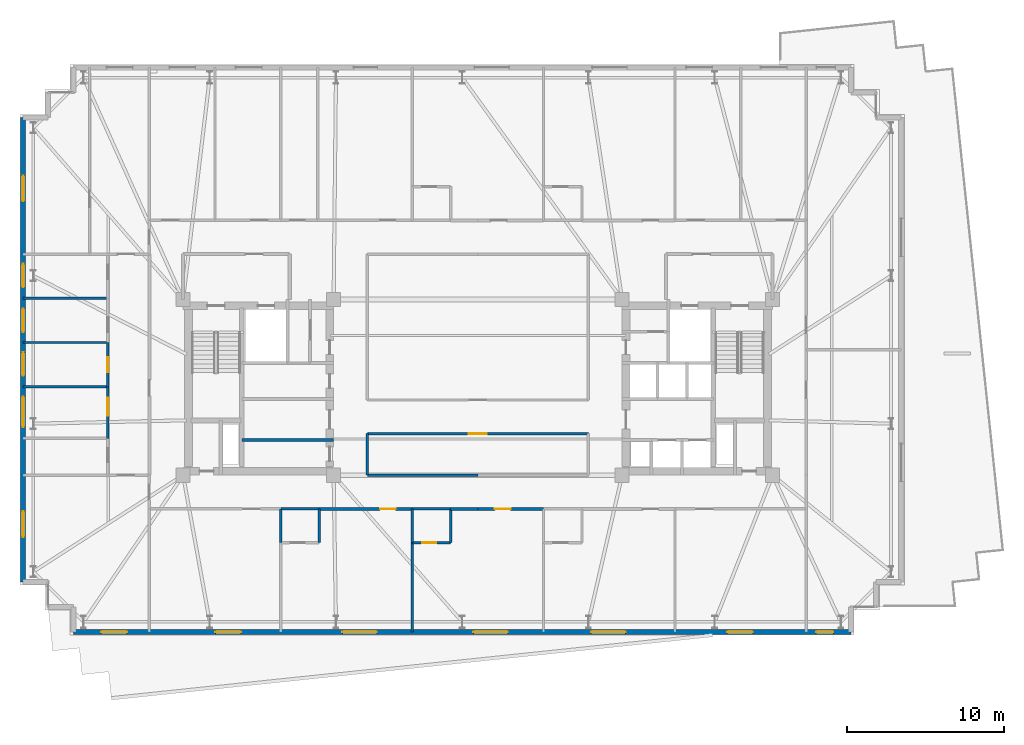
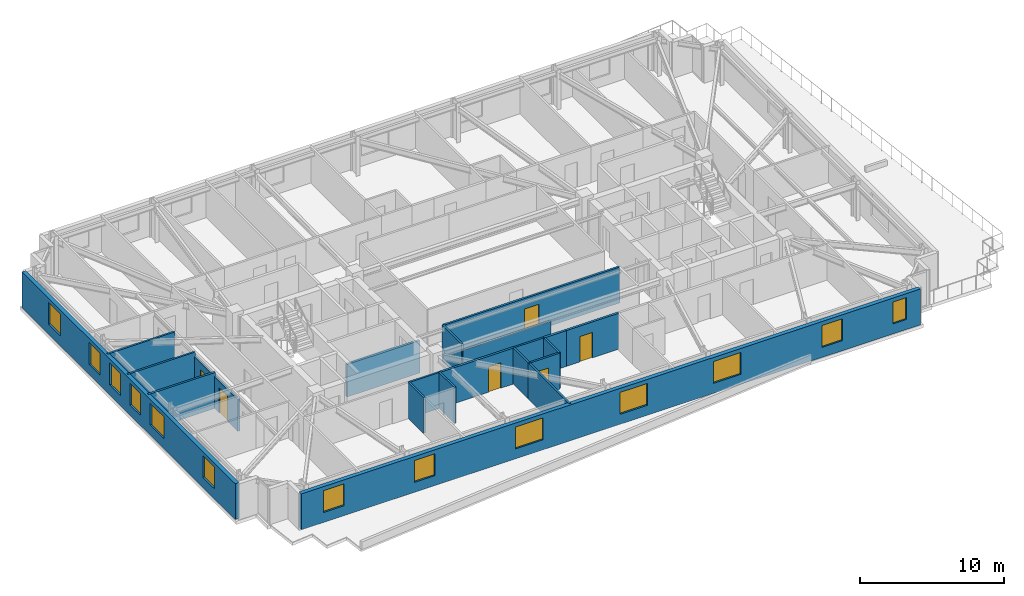
# One storey, part 11 of 19: 22 walls, 13 windows, 6 doors, 19 openings.
"""IFC4 building model written with IfcOpenShell, lengths in metres."""

from ifc_helpers import new_model, si_unit, direction, frame, frame_2d, origin, place, context, subcontext, project, spatial, rectangle, extrude, material, layer, layer_set, type_object, element, fill, save


model = new_model("IFC4")

# Units and contexts
model_context = context("Model", 3, precision=1e-05, world=origin(), true_north=direction((0.0, 1.0)))
body_context = subcontext(model_context, "Body", "Model", "MODEL_VIEW")
ifc_project = project(units=[si_unit("LENGTHUNIT", "METRE"), si_unit("AREAUNIT", "SQUARE_METRE"), si_unit("VOLUMEUNIT", "CUBIC_METRE"), si_unit("PLANEANGLEUNIT", "RADIAN"), si_unit("MASSUNIT", "GRAM", prefix="KILO")], contexts=[model_context])

# Site, building, storey
site_placement = place(None, origin())
site = spatial("IfcSite", under=ifc_project, at=site_placement, CompositionType="ELEMENT")
building_placement = place(site_placement, origin())
building = spatial("IfcBuilding", under=site, at=building_placement, Name="Qobustan Lattice House", CompositionType="ELEMENT")
storey_placement = place(building_placement, frame((0.0, 0.0, 131.0)))
storey = spatial("IfcBuildingStorey", under=building, at=storey_placement, Name="L36", CompositionType="ELEMENT", Elevation=131.0)

# Wall, openings, windows
ifc_material_1 = material(Name="Precast concrete C40/50", Category="concrete")
ifc_layer_1 = layer(ifc_material_1, 0.320068359375)
ifc_layer_set_1 = layer_set([ifc_layer_1], Name="Precast concrete C40/50")
wall_type_1 = type_object("IfcWallType", Name="WAL-EXT-STONE-320", PredefinedType="SOLIDWALL", material=ifc_layer_set_1)
wall_1_placement = place(storey_placement, frame((-29.0, -12.39990234375, 0.0), z_axis=(0.0, 0.0, 1.0), x_axis=(0.0, 1.0, 0.0)))
wall_1 = element("IfcWall", 1, at=wall_1_placement, inside=storey, type_object=wall_type_1, Name="L36 exterior limestone-clad wall 5", PredefinedType="SOLIDWALL", context=body_context, shape_type="SweptSolid", body=[
    extrude(rectangle(XDim=29.599853515625, YDim=0.320068359375, at=frame_2d((14.7998046875, 0.0))), origin(), (0.0, 0.0, 1.0), 3.0400390625),
])
opening_1_placement = place(wall_1_placement, frame((2.85498046875, 0.0, 0.85009765625)))
opening_1 = element("IfcOpeningElement", 2, at=opening_1_placement, cuts=wall_1, Name="Opening WN-09", PredefinedType="OPENING", context=body_context, shape_type="SweptSolid", body=[
    extrude(rectangle(XDim=1.64990234375, YDim=1.85009765625, at=frame_2d((0.824951171875, 0.925048828125))), frame((0.0, 0.169921875, 0.0), z_axis=(0.0, -1.0, 0.0), x_axis=(1.0, 0.0, 0.0)), (0.0, 0.0, 1.0), 0.340087890625),
])
opening_2_placement = place(wall_1_placement, frame((9.864990234375, 0.0, 0.85009765625)))
opening_2 = element("IfcOpeningElement", 3, at=opening_2_placement, cuts=wall_1, Name="Opening WN-08", PredefinedType="OPENING", context=body_context, shape_type="SweptSolid", body=[
    extrude(rectangle(XDim=1.949951171875, YDim=1.85009765625, at=frame_2d((0.97509765625, 0.925048828125))), frame((0.0, 0.169921875, 0.0), z_axis=(0.0, -1.0, 0.0), x_axis=(1.0, 0.0, 0.0)), (0.0, 0.0, 1.0), 0.340087890625),
])
opening_3_placement = place(wall_1_placement, frame((13.1298828125, 0.0, 0.85009765625)))
opening_3 = element("IfcOpeningElement", 4, at=opening_3_placement, cuts=wall_1, Name="Opening WN-01", PredefinedType="OPENING", context=body_context, shape_type="SweptSolid", body=[
    extrude(rectangle(XDim=1.5, YDim=1.85009765625, at=frame_2d((0.75, 0.925048828125))), frame((0.0, 0.169921875, 0.0), z_axis=(0.0, -1.0, 0.0), x_axis=(1.0, 0.0, 0.0)), (0.0, 0.0, 1.0), 0.340087890625),
])
opening_4_placement = place(wall_1_placement, frame((15.929931640625, 0.0, 0.85009765625)))
opening_4 = element("IfcOpeningElement", 5, at=opening_4_placement, cuts=wall_1, Name="Opening WN-01", PredefinedType="OPENING", context=body_context, shape_type="SweptSolid", body=[
    extrude(rectangle(XDim=1.5, YDim=1.85009765625, at=frame_2d((0.75, 0.925048828125))), frame((0.0, 0.169921875, 0.0), z_axis=(0.0, -1.0, 0.0), x_axis=(1.0, 0.0, 0.0)), (0.0, 0.0, 1.0), 0.340087890625),
])
opening_5_placement = place(wall_1_placement, frame((18.77001953125, 0.0, 0.85009765625)))
opening_5 = element("IfcOpeningElement", 6, at=opening_5_placement, cuts=wall_1, Name="Opening WN-01", PredefinedType="OPENING", context=body_context, shape_type="SweptSolid", body=[
    extrude(rectangle(XDim=1.5, YDim=1.85009765625, at=frame_2d((0.75, 0.925048828125))), frame((0.0, 0.169921875, 0.0), z_axis=(0.0, -1.0, 0.0), x_axis=(1.0, 0.0, 0.0)), (0.0, 0.0, 1.0), 0.340087890625),
])
opening_6_placement = place(wall_1_placement, frame((24.2548828125, 0.0, 0.85009765625)))
opening_6 = element("IfcOpeningElement", 7, at=opening_6_placement, cuts=wall_1, Name="Opening WN-09", PredefinedType="OPENING", context=body_context, shape_type="SweptSolid", body=[
    extrude(rectangle(XDim=1.64990234375, YDim=1.85009765625, at=frame_2d((0.824951171875, 0.925048828125))), frame((0.0, 0.169921875, 0.0), z_axis=(0.0, -1.0, 0.0), x_axis=(1.0, 0.0, 0.0)), (0.0, 0.0, 1.0), 0.340087890625),
])
ifc_material_2 = material(Name="Double-glazed low-E aluminium window", Category="aluminium")
window_type_1 = type_object("IfcWindowType", Name="WIN-BED-1500x1850", PartitioningType="SINGLE_PANEL", PredefinedType="WINDOW", material=ifc_material_2)
window_1_placement = place(opening_3_placement, origin())
window_1 = element("IfcWindow", 8, at=window_1_placement, inside=storey, type_object=window_type_1, Name="L36 Cluster bedroom L36W1 window", OverallHeight=1.85009765625, OverallWidth=1.5, PartitioningType="SINGLE_PANEL", PredefinedType="WINDOW", context=body_context, shape_type="SweptSolid", body=[
    extrude(rectangle(XDim=1.5, YDim=1.85009765625, at=frame_2d((0.75, 0.925048828125))), frame((0.0, 0.030029296875, 0.0), z_axis=(0.0, -1.0, 0.0), x_axis=(1.0, 0.0, 0.0)), (0.0, 0.0, 1.0), 0.06005859375),
])
fill(opening_3, window_1)
window_2_placement = place(opening_4_placement, origin())
window_2 = element("IfcWindow", 9, at=window_2_placement, inside=storey, type_object=window_type_1, Name="L36 Cluster bedroom L36W2 window", OverallHeight=1.85009765625, OverallWidth=1.5, PartitioningType="SINGLE_PANEL", PredefinedType="WINDOW", context=body_context, shape_type="SweptSolid", body=[
    extrude(rectangle(XDim=1.5, YDim=1.85009765625, at=frame_2d((0.75, 0.925048828125))), frame((0.0, 0.030029296875, 0.0), z_axis=(0.0, -1.0, 0.0), x_axis=(1.0, 0.0, 0.0)), (0.0, 0.0, 1.0), 0.06005859375),
])
fill(opening_4, window_2)
window_3_placement = place(opening_5_placement, origin())
window_3 = element("IfcWindow", 10, at=window_3_placement, inside=storey, type_object=window_type_1, Name="L36 Cluster bedroom L36W3 window", OverallHeight=1.85009765625, OverallWidth=1.5, PartitioningType="SINGLE_PANEL", PredefinedType="WINDOW", context=body_context, shape_type="SweptSolid", body=[
    extrude(rectangle(XDim=1.5, YDim=1.85009765625, at=frame_2d((0.75, 0.925048828125))), frame((0.0, 0.030029296875, 0.0), z_axis=(0.0, -1.0, 0.0), x_axis=(1.0, 0.0, 0.0)), (0.0, 0.0, 1.0), 0.06005859375),
])
fill(opening_5, window_3)
ifc_material_3 = material(Name="Double-glazed low-E aluminium window", Category="aluminium")
window_type_2 = type_object("IfcWindowType", Name="WIN-KIT-1950x1850", PartitioningType="SINGLE_PANEL", PredefinedType="WINDOW", material=ifc_material_3)
window_4_placement = place(opening_2_placement, origin())
window_4 = element("IfcWindow", 11, at=window_4_placement, inside=storey, type_object=window_type_2, Name="L36 Shared kitchen L36W window", OverallHeight=1.85009765625, OverallWidth=1.949951171875, PartitioningType="SINGLE_PANEL", PredefinedType="WINDOW", context=body_context, shape_type="SweptSolid", body=[
    extrude(rectangle(XDim=1.949951171875, YDim=1.85009765625, at=frame_2d((0.97509765625, 0.925048828125))), frame((0.0, 0.030029296875, 0.0), z_axis=(0.0, -1.0, 0.0), x_axis=(1.0, 0.0, 0.0)), (0.0, 0.0, 1.0), 0.06005859375),
])
fill(opening_2, window_4)
ifc_material_4 = material(Name="Double-glazed low-E aluminium window", Category="aluminium")
window_type_3 = type_object("IfcWindowType", Name="WIN-STU-1650x1850", PartitioningType="SINGLE_PANEL", PredefinedType="WINDOW", material=ifc_material_4)
window_5_placement = place(opening_1_placement, origin())
window_5 = element("IfcWindow", 12, at=window_5_placement, inside=storey, type_object=window_type_3, Name="L36 Reading study room L36WS window", OverallHeight=1.85009765625, OverallWidth=1.64990234375, PartitioningType="SINGLE_PANEL", PredefinedType="WINDOW", context=body_context, shape_type="SweptSolid", body=[
    extrude(rectangle(XDim=1.64990234375, YDim=1.85009765625, at=frame_2d((0.824951171875, 0.925048828125))), frame((0.0, 0.030029296875, 0.0), z_axis=(0.0, -1.0, 0.0), x_axis=(1.0, 0.0, 0.0)), (0.0, 0.0, 1.0), 0.06005859375),
])
fill(opening_1, window_5)
window_6_placement = place(opening_6_placement, origin())
window_6 = element("IfcWindow", 13, at=window_6_placement, inside=storey, type_object=window_type_3, Name="L36 Collaborative study room L36WN window", OverallHeight=1.85009765625, OverallWidth=1.64990234375, PartitioningType="SINGLE_PANEL", PredefinedType="WINDOW", context=body_context, shape_type="SweptSolid", body=[
    extrude(rectangle(XDim=1.64990234375, YDim=1.85009765625, at=frame_2d((0.824951171875, 0.925048828125))), frame((0.0, 0.030029296875, 0.0), z_axis=(0.0, -1.0, 0.0), x_axis=(1.0, 0.0, 0.0)), (0.0, 0.0, 1.0), 0.06005859375),
])
fill(opening_6, window_6)

wall_2_placement = place(storey_placement, frame((23.800048828125, -15.60009765625, 0.0), z_axis=(0.0, 0.0, 1.0), x_axis=(-1.0, 0.0, 0.0)))
wall_2 = element("IfcWall", 14, at=wall_2_placement, inside=storey, type_object=wall_type_1, Name="L36 exterior limestone-clad wall 20", PredefinedType="SOLIDWALL", context=body_context, shape_type="SweptSolid", body=[
    extrude(rectangle(XDim=49.60009765625, YDim=0.320068359375, at=frame_2d((24.800048828125, 0.0))), origin(), (0.0, 0.0, 1.0), 3.0400390625),
])
opening_7_placement = place(wall_2_placement, frame((1.1298828125, 0.0, 0.85009765625)))
opening_7 = element("IfcOpeningElement", 15, at=opening_7_placement, cuts=wall_2, Name="Opening WN-04", PredefinedType="OPENING", context=body_context, shape_type="SweptSolid", body=[
    extrude(rectangle(XDim=1.10009765625, YDim=1.85009765625, at=frame_2d((0.550048828125, 0.925048828125))), frame((0.0, 0.169921875, 0.0), z_axis=(0.0, -1.0, 0.0), x_axis=(1.0, 0.0, 0.0)), (0.0, 0.0, 1.0), 0.340087890625),
])
opening_8_placement = place(wall_2_placement, frame((6.2548828125, 0.0, 0.85009765625)))
opening_8 = element("IfcOpeningElement", 16, at=opening_8_placement, cuts=wall_2, Name="Opening WN-09", PredefinedType="OPENING", context=body_context, shape_type="SweptSolid", body=[
    extrude(rectangle(XDim=1.64990234375, YDim=1.85009765625, at=frame_2d((0.824951171875, 0.925048828125))), frame((0.0, 0.169921875, 0.0), z_axis=(0.0, -1.0, 0.0), x_axis=(1.0, 0.0, 0.0)), (0.0, 0.0, 1.0), 0.340087890625),
])
opening_9_placement = place(wall_2_placement, frame((14.3798828125, 0.0, 0.85009765625)))
opening_9 = element("IfcOpeningElement", 17, at=opening_9_placement, cuts=wall_2, Name="Opening WN-03", PredefinedType="OPENING", context=body_context, shape_type="SweptSolid", body=[
    extrude(rectangle(XDim=2.199951171875, YDim=1.85009765625, at=frame_2d((1.10009765625, 0.925048828125))), frame((0.0, 0.169921875, 0.0), z_axis=(0.0, -1.0, 0.0), x_axis=(1.0, 0.0, 0.0)), (0.0, 0.0, 1.0), 0.340087890625),
])
opening_10_placement = place(wall_2_placement, frame((21.887939453125, 0.0, 0.85009765625)))
opening_10 = element("IfcOpeningElement", 18, at=opening_10_placement, cuts=wall_2, Name="Opening WN-03", PredefinedType="OPENING", context=body_context, shape_type="SweptSolid", body=[
    extrude(rectangle(XDim=2.199951171875, YDim=1.85009765625, at=frame_2d((1.10009765625, 0.925048828125))), frame((0.0, 0.169921875, 0.0), z_axis=(0.0, -1.0, 0.0), x_axis=(1.0, 0.0, 0.0)), (0.0, 0.0, 1.0), 0.340087890625),
])
opening_11_placement = place(wall_2_placement, frame((30.236083984375, 0.0, 0.85009765625)))
opening_11 = element("IfcOpeningElement", 19, at=opening_11_placement, cuts=wall_2, Name="Opening WN-03", PredefinedType="OPENING", context=body_context, shape_type="SweptSolid", body=[
    extrude(rectangle(XDim=2.199951171875, YDim=1.85009765625, at=frame_2d((1.10009765625, 0.925048828125))), frame((0.0, 0.169921875, 0.0), z_axis=(0.0, -1.0, 0.0), x_axis=(1.0, 0.0, 0.0)), (0.0, 0.0, 1.0), 0.340087890625),
])
opening_12_placement = place(wall_2_placement, frame((38.8974609375, 0.0, 0.85009765625)))
opening_12 = element("IfcOpeningElement", 20, at=opening_12_placement, cuts=wall_2, Name="Opening WN-09", PredefinedType="OPENING", context=body_context, shape_type="SweptSolid", body=[
    extrude(rectangle(XDim=1.64990234375, YDim=1.85009765625, at=frame_2d((0.824951171875, 0.925048828125))), frame((0.0, 0.169921875, 0.0), z_axis=(0.0, -1.0, 0.0), x_axis=(1.0, 0.0, 0.0)), (0.0, 0.0, 1.0), 0.340087890625),
])
opening_13_placement = place(wall_2_placement, frame((46.175048828125, 0.0, 0.85009765625)))
opening_13 = element("IfcOpeningElement", 21, at=opening_13_placement, cuts=wall_2, Name="Opening WN-09", PredefinedType="OPENING", context=body_context, shape_type="SweptSolid", body=[
    extrude(rectangle(XDim=1.64990234375, YDim=1.85009765625, at=frame_2d((0.824951171875, 0.925048828125))), frame((0.0, 0.169921875, 0.0), z_axis=(0.0, -1.0, 0.0), x_axis=(1.0, 0.0, 0.0)), (0.0, 0.0, 1.0), 0.340087890625),
])
ifc_material_5 = material(Name="Double-glazed low-E aluminium window", Category="aluminium")
window_type_4 = type_object("IfcWindowType", Name="WIN-NAR-1100x1850", PartitioningType="SINGLE_PANEL", PredefinedType="WINDOW", material=ifc_material_5)
window_7_placement = place(opening_7_placement, origin())
window_7 = element("IfcWindow", 22, at=window_7_placement, inside=storey, type_object=window_type_4, Name="L36 Spiral terrace south lounge window", OverallHeight=1.85009765625, OverallWidth=1.10009765625, PartitioningType="SINGLE_PANEL", PredefinedType="WINDOW", context=body_context, shape_type="SweptSolid", body=[
    extrude(rectangle(XDim=1.10009765625, YDim=1.85009765625, at=frame_2d((0.550048828125, 0.925048828125))), frame((0.0, 0.030029296875, 0.0), z_axis=(0.0, -1.0, 0.0), x_axis=(1.0, 0.0, 0.0)), (0.0, 0.0, 1.0), 0.06005859375),
])
fill(opening_7, window_7)
window_8_placement = place(opening_8_placement, origin())
window_8 = element("IfcWindow", 23, at=window_8_placement, inside=storey, type_object=window_type_3, Name="L36 Group study room window", OverallHeight=1.85009765625, OverallWidth=1.64990234375, PartitioningType="SINGLE_PANEL", PredefinedType="WINDOW", context=body_context, shape_type="SweptSolid", body=[
    extrude(rectangle(XDim=1.64990234375, YDim=1.85009765625, at=frame_2d((0.824951171875, 0.925048828125))), frame((0.0, 0.030029296875, 0.0), z_axis=(0.0, -1.0, 0.0), x_axis=(1.0, 0.0, 0.0)), (0.0, 0.0, 1.0), 0.06005859375),
])
fill(opening_8, window_8)
window_9_placement = place(opening_12_placement, origin())
window_9 = element("IfcWindow", 24, at=window_9_placement, inside=storey, type_object=window_type_3, Name="L36 Focus study room S1 window", OverallHeight=1.85009765625, OverallWidth=1.64990234375, PartitioningType="SINGLE_PANEL", PredefinedType="WINDOW", context=body_context, shape_type="SweptSolid", body=[
    extrude(rectangle(XDim=1.64990234375, YDim=1.85009765625, at=frame_2d((0.824951171875, 0.925048828125))), frame((0.0, 0.030029296875, 0.0), z_axis=(0.0, -1.0, 0.0), x_axis=(1.0, 0.0, 0.0)), (0.0, 0.0, 1.0), 0.06005859375),
])
fill(opening_12, window_9)
window_10_placement = place(opening_13_placement, origin())
window_10 = element("IfcWindow", 25, at=window_10_placement, inside=storey, type_object=window_type_3, Name="L36 Reading study room L36WS window", OverallHeight=1.85009765625, OverallWidth=1.64990234375, PartitioningType="SINGLE_PANEL", PredefinedType="WINDOW", context=body_context, shape_type="SweptSolid", body=[
    extrude(rectangle(XDim=1.64990234375, YDim=1.85009765625, at=frame_2d((0.824951171875, 0.925048828125))), frame((0.0, 0.030029296875, 0.0), z_axis=(0.0, -1.0, 0.0), x_axis=(1.0, 0.0, 0.0)), (0.0, 0.0, 1.0), 0.06005859375),
])
fill(opening_13, window_10)
ifc_material_6 = material(Name="Double-glazed low-E aluminium window", Category="aluminium")
window_type_5 = type_object("IfcWindowType", Name="WIN-WIDE-2200x1850", PartitioningType="SINGLE_PANEL", PredefinedType="WINDOW", material=ifc_material_6)
window_11_placement = place(opening_9_placement, origin())
window_11 = element("IfcWindow", 26, at=window_11_placement, inside=storey, type_object=window_type_5, Name="L36 Kitchenette and studio apartment L36-S4 window", OverallHeight=1.85009765625, OverallWidth=2.199951171875, PartitioningType="SINGLE_PANEL", PredefinedType="WINDOW", context=body_context, shape_type="SweptSolid", body=[
    extrude(rectangle(XDim=2.199951171875, YDim=1.85009765625, at=frame_2d((1.10009765625, 0.925048828125))), frame((0.0, 0.030029296875, 0.0), z_axis=(0.0, -1.0, 0.0), x_axis=(1.0, 0.0, 0.0)), (0.0, 0.0, 1.0), 0.06005859375),
])
fill(opening_9, window_11)
window_12_placement = place(opening_10_placement, origin())
window_12 = element("IfcWindow", 27, at=window_12_placement, inside=storey, type_object=window_type_5, Name="L36 Kitchenette and studio apartment L36-S3 window", OverallHeight=1.85009765625, OverallWidth=2.199951171875, PartitioningType="SINGLE_PANEL", PredefinedType="WINDOW", context=body_context, shape_type="SweptSolid", body=[
    extrude(rectangle(XDim=2.199951171875, YDim=1.85009765625, at=frame_2d((1.10009765625, 0.925048828125))), frame((0.0, 0.030029296875, 0.0), z_axis=(0.0, -1.0, 0.0), x_axis=(1.0, 0.0, 0.0)), (0.0, 0.0, 1.0), 0.06005859375),
])
fill(opening_10, window_12)
window_13_placement = place(opening_11_placement, origin())
window_13 = element("IfcWindow", 28, at=window_13_placement, inside=storey, type_object=window_type_5, Name="L36 Kitchenette and studio apartment L36-S2 window", OverallHeight=1.85009765625, OverallWidth=2.199951171875, PartitioningType="SINGLE_PANEL", PredefinedType="WINDOW", context=body_context, shape_type="SweptSolid", body=[
    extrude(rectangle(XDim=2.199951171875, YDim=1.85009765625, at=frame_2d((1.10009765625, 0.925048828125))), frame((0.0, 0.030029296875, 0.0), z_axis=(0.0, -1.0, 0.0), x_axis=(1.0, 0.0, 0.0)), (0.0, 0.0, 1.0), 0.06005859375),
])
fill(opening_11, window_13)

# Wall
ifc_material_7 = material(Name="Gypsum fireboard acoustic partition", Category="gypsum")
ifc_layer_2 = layer(ifc_material_7, 0.179931640625)
ifc_layer_set_2 = layer_set([ifc_layer_2], Name="Gypsum fireboard acoustic partition")
wall_type_2 = type_object("IfcWallType", Name="WAL-FIRE-180", PredefinedType="PARTITIONING", material=ifc_layer_set_2)
wall_3_placement = place(storey_placement, frame((-15.050048828125, -3.35009765625, 0.0), z_axis=(0.0, 0.0, 1.0), x_axis=(1.0, 0.0, 0.0)))
element("IfcWall", 29, at=wall_3_placement, inside=storey, type_object=wall_type_2, Name="L36 interior partition 10", PredefinedType="PARTITIONING", context=body_context, shape_type="SweptSolid", body=[
    extrude(rectangle(XDim=5.85009765625, YDim=0.179931640625, at=frame_2d((2.925048828125, 0.0))), origin(), (0.0, 0.0, 1.0), 2.7548828125),
])

# Wall, opening, door
wall_4_placement = place(storey_placement, frame((-4.18994140625, -7.75, 0.0), z_axis=(0.0, 0.0, 1.0), x_axis=(-1.0, 0.0, 0.0)))
wall_4 = element("IfcWall", 30, at=wall_4_placement, inside=storey, type_object=wall_type_2, Name="L36 interior partition 51", PredefinedType="PARTITIONING", context=body_context, shape_type="SweptSolid", body=[
    extrude(rectangle(XDim=5.93017578125, YDim=0.179931640625, at=frame_2d((2.965087890625, 0.0))), origin(), (0.0, 0.0, 1.0), 3.0400390625),
])
opening_14_placement = place(wall_4_placement, frame((1.05126953125, 0.0, 0.0)))
opening_14 = element("IfcOpeningElement", 31, at=opening_14_placement, cuts=wall_4, Name="Opening FD-02", PredefinedType="OPENING", context=body_context, shape_type="SweptSolid", body=[
    extrude(rectangle(XDim=1.0, YDim=2.14990234375, at=frame_2d((0.5, 1.074951171875))), frame((0.0, 0.099853515625, 0.0), z_axis=(0.0, -1.0, 0.0), x_axis=(1.0, 0.0, 0.0)), (0.0, 0.0, 1.0), 0.199951171875),
])
ifc_material_8 = material(Name="Persian walnut timber and steel frame door", Category="steel")
door_type_1 = type_object("IfcDoorType", Name="DOR-UNIT-FD-1000x2150", OperationType="NOTDEFINED", PredefinedType="DOOR", material=ifc_material_8)
door_1_placement = place(opening_14_placement, origin())
door_1 = element("IfcDoor", 32, at=door_1_placement, inside=storey, type_object=door_type_1, Name="L36 South-west floor corridor to Kitchenette and studio apartment L36-S2 door", OperationType="SINGLE_SWING_LEFT", OverallHeight=2.14990234375, OverallWidth=1.0, PredefinedType="DOOR", context=body_context, shape_type="SweptSolid", body=[
    extrude(rectangle(XDim=1.0, YDim=2.14990234375, at=frame_2d((0.5, 1.074951171875))), frame((0.0, 0.02490234375, 0.0), z_axis=(0.0, -1.0, 0.0), x_axis=(1.0, 0.0, 0.0)), (0.0, 0.0, 1.0), 0.050048828125),
])
fill(opening_14, door_1)

# Wall
wall_5_placement = place(storey_placement, frame((0.0, -7.75, 0.0), z_axis=(0.0, 0.0, 1.0), x_axis=(-1.0, 0.0, 0.0)))
element("IfcWall", 33, at=wall_5_placement, inside=storey, type_object=wall_type_2, Name="L36 interior partition 53", PredefinedType="PARTITIONING", context=body_context, shape_type="SweptSolid", body=[
    extrude(rectangle(XDim=1.739990234375, YDim=0.179931640625, at=frame_2d((0.8701171875, 0.0))), origin(), (0.0, 0.0, 1.0), 3.0400390625),
])

# Wall, opening, door
wall_6_placement = place(storey_placement, frame((4.18994140625, -7.75, 0.0), z_axis=(0.0, 0.0, 1.0), x_axis=(-1.0, 0.0, 0.0)))
wall_6 = element("IfcWall", 34, at=wall_6_placement, inside=storey, type_object=wall_type_2, Name="L36 interior partition 57", PredefinedType="PARTITIONING", context=body_context, shape_type="SweptSolid", body=[
    extrude(rectangle(XDim=4.18994140625, YDim=0.179931640625, at=frame_2d((2.094970703125, 0.0))), origin(), (0.0, 0.0, 1.0), 3.0400390625),
])
opening_15_placement = place(wall_6_placement, frame((2.1025390625, 0.0, 0.0)))
opening_15 = element("IfcOpeningElement", 35, at=opening_15_placement, cuts=wall_6, Name="Opening FD-02", PredefinedType="OPENING", context=body_context, shape_type="SweptSolid", body=[
    extrude(rectangle(XDim=1.0, YDim=2.14990234375, at=frame_2d((0.5, 1.074951171875))), frame((0.0, 0.099853515625, 0.0), z_axis=(0.0, -1.0, 0.0), x_axis=(1.0, 0.0, 0.0)), (0.0, 0.0, 1.0), 0.199951171875),
])
door_2_placement = place(opening_15_placement, origin())
door_2 = element("IfcDoor", 36, at=door_2_placement, inside=storey, type_object=door_type_1, Name="L36 South-east floor corridor to Kitchenette and studio apartment L36-S3 door", OperationType="SINGLE_SWING_RIGHT", OverallHeight=2.14990234375, OverallWidth=1.0, PredefinedType="DOOR", context=body_context, shape_type="SweptSolid", body=[
    extrude(rectangle(XDim=1.0, YDim=2.14990234375, at=frame_2d((0.5, 1.074951171875))), frame((0.0, 0.02490234375, 0.0), z_axis=(0.0, -1.0, 0.0), x_axis=(1.0, 0.0, 0.0)), (0.0, 0.0, 1.0), 0.050048828125),
])
fill(opening_15, door_2)

ifc_material_9 = material(Name="Acoustic twin-stud gypsum partition", Category="gypsum")
ifc_layer_3 = layer(ifc_material_9, 0.14990234375)
ifc_layer_set_3 = layer_set([ifc_layer_3], Name="Acoustic twin-stud gypsum partition")
wall_type_3 = type_object("IfcWallType", Name="WAL-PART-150", PredefinedType="PARTITIONING", material=ifc_layer_set_3)
wall_7_placement = place(storey_placement, frame((-23.60009765625, 0.0400390625, 0.0), z_axis=(0.0, 0.0, 1.0), x_axis=(0.0, 1.0, 0.0)))
wall_7 = element("IfcWall", 37, at=wall_7_placement, inside=storey, type_object=wall_type_3, Name="L36 interior partition 75", PredefinedType="PARTITIONING", context=body_context, shape_type="SweptSolid", body=[
    extrude(rectangle(XDim=2.820068359375, YDim=0.14990234375, at=frame_2d((1.41015625, 0.0))), origin(), (0.0, 0.0, 1.0), 2.695068359375),
])
opening_16_placement = place(wall_7_placement, frame((0.93505859375, 0.0, 0.0)))
opening_16 = element("IfcOpeningElement", 38, at=opening_16_placement, cuts=wall_7, Name="Opening ID-01", PredefinedType="OPENING", context=body_context, shape_type="SweptSolid", body=[
    extrude(rectangle(XDim=0.949951171875, YDim=2.10009765625, at=frame_2d((0.47509765625, 1.050048828125))), frame((0.0, 0.0849609375, 0.0), z_axis=(0.0, -1.0, 0.0), x_axis=(1.0, 0.0, 0.0)), (0.0, 0.0, 1.0), 0.169921875),
])
ifc_material_10 = material(Name="Persian walnut timber and steel frame door", Category="steel")
door_type_2 = type_object("IfcDoorType", Name="DOR-ROOM-950x2100", OperationType="NOTDEFINED", PredefinedType="DOOR", material=ifc_material_10)
door_3_placement = place(opening_16_placement, origin())
door_3 = element("IfcDoor", 39, at=door_3_placement, inside=storey, type_object=door_type_2, Name="L36 Residence entrance hall L36W to Cluster bedroom L36W1 door", OperationType="SINGLE_SWING_RIGHT", OverallHeight=2.10009765625, OverallWidth=0.949951171875, PredefinedType="DOOR", context=body_context, shape_type="SweptSolid", body=[
    extrude(rectangle(XDim=0.949951171875, YDim=2.10009765625, at=frame_2d((0.47509765625, 1.050048828125))), frame((0.0, 0.02490234375, 0.0), z_axis=(0.0, -1.0, 0.0), x_axis=(1.0, 0.0, 0.0)), (0.0, 0.0, 1.0), 0.050048828125),
])
fill(opening_16, door_3)

# Walls
for number, where, z_axis, x_axis, name in (
    (40, (-29.0, 2.860107421875, 0.0), (0.0, 0.0, 1.0), (1.0, 0.0, 0.0), "L36 interior partition 86"),
    (41, (-29.0, 5.679931640625, 0.0), (0.0, 0.0, 1.0), (1.0, 0.0, 0.0), "L36 interior partition 87"),
):
    element("IfcWall", number, at=place(storey_placement, frame(where, z_axis=z_axis, x_axis=x_axis)), inside=storey, type_object=wall_type_3, Name=name, PredefinedType="PARTITIONING", context=body_context, shape_type="SweptSolid", body=[
        extrude(rectangle(XDim=5.39990234375, YDim=0.14990234375, at=frame_2d((2.699951171875, 0.0))), origin(), (0.0, 0.0, 1.0), 3.0400390625),
    ])
wall_8_placement = place(storey_placement, frame((-4.18994140625, -9.89990234375, 0.0), z_axis=(0.0, 0.0, 1.0), x_axis=(0.0, -1.0, 0.0)))
element("IfcWall", 42, at=wall_8_placement, inside=storey, type_object=wall_type_3, Name="L36 interior partition 108", PredefinedType="PARTITIONING", context=body_context, shape_type="SweptSolid", body=[
    extrude(rectangle(XDim=5.7001953125, YDim=0.14990234375, at=frame_2d((2.85009765625, 0.0))), origin(), (0.0, 0.0, 1.0), 3.0400390625),
])
ifc_material_11 = material(Name="High-mass acoustic twin-stud partition", Category="gypsum")
ifc_layer_4 = layer(ifc_material_11, 0.1650390625)
ifc_layer_set_4 = layer_set([ifc_layer_4], Name="High-mass acoustic twin-stud partition")
wall_type_4 = type_object("IfcWallType", Name="WAL-PART-165", PredefinedType="PARTITIONING", material=ifc_layer_set_4)
wall_9_placement = place(storey_placement, frame((-7.050048828125, -5.60009765625, 0.0), z_axis=(0.0, 0.0, 1.0), x_axis=(1.0, 0.0, 0.0)))
element("IfcWall", 43, at=wall_9_placement, inside=storey, type_object=wall_type_4, Name="L36 interior partition 55", PredefinedType="PARTITIONING", context=body_context, shape_type="SweptSolid", body=[
    extrude(rectangle(XDim=7.050048828125, YDim=0.1650390625, at=frame_2d((3.52490234375, 0.0))), origin(), (0.0, 0.0, 1.0), 2.52490234375),
])

# Wall, opening, door
wall_10_placement = place(storey_placement, frame((7.050048828125, -2.949951171875, 0.0), z_axis=(0.0, 0.0, 1.0), x_axis=(-1.0, 0.0, 0.0)))
wall_10 = element("IfcWall", 44, at=wall_10_placement, inside=storey, type_object=wall_type_4, Name="L36 interior partition 66", PredefinedType="PARTITIONING", context=body_context, shape_type="SweptSolid", body=[
    extrude(rectangle(XDim=14.10009765625, YDim=0.1650390625, at=frame_2d((7.050048828125, 0.0))), origin(), (0.0, 0.0, 1.0), 3.0400390625),
])
opening_17_placement = place(wall_10_placement, frame((6.47509765625, 0.0, 0.0)))
opening_17 = element("IfcOpeningElement", 45, at=opening_17_placement, cuts=wall_10, Name="Opening ID-03", PredefinedType="OPENING", context=body_context, shape_type="SweptSolid", body=[
    extrude(rectangle(XDim=1.14990234375, YDim=2.14990234375, at=frame_2d((0.574951171875, 1.074951171875))), frame((0.0, 0.092529296875, 0.0), z_axis=(0.0, -1.0, 0.0), x_axis=(1.0, 0.0, 0.0)), (0.0, 0.0, 1.0), 0.18505859375),
])
ifc_material_12 = material(Name="Persian walnut timber and steel frame door", Category="steel")
door_type_3 = type_object("IfcDoorType", Name="DOR-KITCH-1150x2150", OperationType="NOTDEFINED", PredefinedType="DOOR", material=ifc_material_12)
door_4_placement = place(opening_17_placement, origin())
door_4 = element("IfcDoor", 46, at=door_4_placement, inside=storey, type_object=door_type_3, Name="L36 Central spine corridor to Shared kitchen and tea room door", OperationType="SINGLE_SWING_LEFT", OverallHeight=2.14990234375, OverallWidth=1.14990234375, PredefinedType="DOOR", context=body_context, shape_type="SweptSolid", body=[
    extrude(rectangle(XDim=1.14990234375, YDim=2.14990234375, at=frame_2d((0.574951171875, 1.074951171875))), frame((0.0, 0.02490234375, 0.0), z_axis=(0.0, -1.0, 0.0), x_axis=(1.0, 0.0, 0.0)), (0.0, 0.0, 1.0), 0.050048828125),
])
fill(opening_17, door_4)

# Wall
wall_11_placement = place(storey_placement, frame((-7.050048828125, -2.949951171875, 0.0), z_axis=(0.0, 0.0, 1.0), x_axis=(0.0, -1.0, 0.0)))
element("IfcWall", 47, at=wall_11_placement, inside=storey, type_object=wall_type_4, Name="L36 interior partition 68", PredefinedType="PARTITIONING", context=body_context, shape_type="SweptSolid", body=[
    extrude(rectangle(XDim=2.650146484375, YDim=0.1650390625, at=frame_2d((1.3251953125, 0.0))), origin(), (0.0, 0.0, 1.0), 3.0400390625),
])

# Wall, opening, door
wall_12_placement = place(storey_placement, frame((-23.60009765625, -3.25, 0.0), z_axis=(0.0, 0.0, 1.0), x_axis=(0.0, 1.0, 0.0)))
wall_12 = element("IfcWall", 48, at=wall_12_placement, inside=storey, type_object=wall_type_4, Name="L36 interior partition 74", PredefinedType="PARTITIONING", context=body_context, shape_type="SweptSolid", body=[
    extrude(rectangle(XDim=3.2900390625, YDim=0.1650390625, at=frame_2d((1.64501953125, 0.0))), origin(), (0.0, 0.0, 1.0), 2.695068359375),
])
opening_18_placement = place(wall_12_placement, frame((1.4375, 0.0, 0.0)))
opening_18 = element("IfcOpeningElement", 49, at=opening_18_placement, cuts=wall_12, Name="Opening ID-03", PredefinedType="OPENING", context=body_context, shape_type="SweptSolid", body=[
    extrude(rectangle(XDim=1.14990234375, YDim=2.14990234375, at=frame_2d((0.574951171875, 1.074951171875))), frame((0.0, 0.092529296875, 0.0), z_axis=(0.0, -1.0, 0.0), x_axis=(1.0, 0.0, 0.0)), (0.0, 0.0, 1.0), 0.18505859375),
])
door_5_placement = place(opening_18_placement, origin())
door_5 = element("IfcDoor", 50, at=door_5_placement, inside=storey, type_object=door_type_3, Name="L36 Residence entrance hall L36W to Shared kitchen L36W door", OperationType="SINGLE_SWING_LEFT", OverallHeight=2.14990234375, OverallWidth=1.14990234375, PredefinedType="DOOR", context=body_context, shape_type="SweptSolid", body=[
    extrude(rectangle(XDim=1.14990234375, YDim=2.14990234375, at=frame_2d((0.574951171875, 1.074951171875))), frame((0.0, 0.02490234375, 0.0), z_axis=(0.0, -1.0, 0.0), x_axis=(1.0, 0.0, 0.0)), (0.0, 0.0, 1.0), 0.050048828125),
])
fill(opening_18, door_5)

# Walls
wall_13_placement = place(storey_placement, frame((-29.0, 0.0400390625, 0.0), z_axis=(0.0, 0.0, 1.0), x_axis=(1.0, 0.0, 0.0)))
element("IfcWall", 51, at=wall_13_placement, inside=storey, type_object=wall_type_4, Name="L36 interior partition 85", PredefinedType="PARTITIONING", context=body_context, shape_type="SweptSolid", body=[
    extrude(rectangle(XDim=5.39990234375, YDim=0.1650390625, at=frame_2d((2.699951171875, 0.0))), origin(), (0.0, 0.0, 1.0), 3.0400390625),
])
ifc_material_13 = material(Name="Moisture-resistant acoustic plumbing wall", Category="gypsum")
ifc_layer_5 = layer(ifc_material_13, 0.14990234375)
ifc_layer_set_5 = layer_set([ifc_layer_5], Name="Moisture-resistant acoustic plumbing wall")
wall_type_5 = type_object("IfcWallType", Name="WAL-WET-150", PredefinedType="PLUMBINGWALL", material=ifc_layer_set_5)
for number, where, z_axis, x_axis, name in (
    (52, (-10.1201171875, -7.75, 0.0), (0.0, 0.0, 1.0), (-1.0, 0.0, 0.0), "L36 interior partition 52"),
    (53, (-1.739990234375, -7.75, 0.0), (0.0, 0.0, 1.0), (-1.0, 0.0, 0.0), "L36 interior partition 54"),
):
    element("IfcWall", number, at=place(storey_placement, frame(where, z_axis=z_axis, x_axis=x_axis)), inside=storey, type_object=wall_type_5, Name=name, PredefinedType="PLUMBINGWALL", context=body_context, shape_type="SweptSolid", body=[
        extrude(rectangle(XDim=2.449951171875, YDim=0.14990234375, at=frame_2d((1.22509765625, 0.0))), origin(), (0.0, 0.0, 1.0), 3.0400390625),
    ])
for number, where, z_axis, x_axis, name in (
    (54, (-12.570068359375, -7.75, 0.0), (0.0, 0.0, 1.0), (0.0, -1.0, 0.0), "L36 interior partition 105"),
    (55, (-10.1201171875, -9.89990234375, 0.0), (0.0, 0.0, 1.0), (0.0, 1.0, 0.0), "L36 interior partition 107"),
    (56, (-4.18994140625, -7.75, 0.0), (0.0, 0.0, 1.0), (0.0, -1.0, 0.0), "L36 interior partition 109"),
):
    element("IfcWall", number, at=place(storey_placement, frame(where, z_axis=z_axis, x_axis=x_axis)), inside=storey, type_object=wall_type_5, Name=name, PredefinedType="PLUMBINGWALL", context=body_context, shape_type="SweptSolid", body=[
        extrude(rectangle(XDim=2.14990234375, YDim=0.14990234375, at=frame_2d((1.074951171875, 0.0))), origin(), (0.0, 0.0, 1.0), 3.0400390625),
    ])

# Wall, opening, door
wall_14_placement = place(storey_placement, frame((-4.18994140625, -9.89990234375, 0.0), z_axis=(0.0, 0.0, 1.0), x_axis=(1.0, 0.0, 0.0)))
wall_14 = element("IfcWall", 57, at=wall_14_placement, inside=storey, type_object=wall_type_5, Name="L36 interior partition 110", PredefinedType="PLUMBINGWALL", context=body_context, shape_type="SweptSolid", body=[
    extrude(rectangle(XDim=2.449951171875, YDim=0.14990234375, at=frame_2d((1.22509765625, 0.0))), origin(), (0.0, 0.0, 1.0), 3.0400390625),
])
opening_19_placement = place(wall_14_placement, frame((0.62890625, 0.0, 0.0)))
opening_19 = element("IfcOpeningElement", 58, at=opening_19_placement, cuts=wall_14, Name="Opening WD-01", PredefinedType="OPENING", context=body_context, shape_type="SweptSolid", body=[
    extrude(rectangle(XDim=0.89990234375, YDim=2.10009765625, at=frame_2d((0.449951171875, 1.050048828125))), frame((0.0, 0.0849609375, 0.0), z_axis=(0.0, -1.0, 0.0), x_axis=(1.0, 0.0, 0.0)), (0.0, 0.0, 1.0), 0.169921875),
])
ifc_material_14 = material(Name="Persian walnut timber and steel frame door", Category="steel")
door_type_4 = type_object("IfcDoorType", Name="DOR-WET-900x2100", OperationType="NOTDEFINED", PredefinedType="DOOR", material=ifc_material_14)
door_6_placement = place(opening_19_placement, origin())
door_6 = element("IfcDoor", 59, at=door_6_placement, inside=storey, type_object=door_type_4, Name="L36 Kitchenette and studio apartment L36-S3 to En-suite bathroom L36-S3 door", OperationType="SINGLE_SWING_LEFT", OverallHeight=2.10009765625, OverallWidth=0.89990234375, PredefinedType="DOOR", context=body_context, shape_type="SweptSolid", body=[
    extrude(rectangle(XDim=0.89990234375, YDim=2.10009765625, at=frame_2d((0.449951171875, 1.050048828125))), frame((0.0, 0.02490234375, 0.0), z_axis=(0.0, -1.0, 0.0), x_axis=(1.0, 0.0, 0.0)), (0.0, 0.0, 1.0), 0.050048828125),
])
fill(opening_19, door_6)

# Wall
wall_15_placement = place(storey_placement, frame((-1.739990234375, -9.89990234375, 0.0), z_axis=(0.0, 0.0, 1.0), x_axis=(0.0, 1.0, 0.0)))
element("IfcWall", 60, at=wall_15_placement, inside=storey, type_object=wall_type_5, Name="L36 interior partition 111", PredefinedType="PLUMBINGWALL", context=body_context, shape_type="SweptSolid", body=[
    extrude(rectangle(XDim=2.14990234375, YDim=0.14990234375, at=frame_2d((1.074951171875, 0.0))), origin(), (0.0, 0.0, 1.0), 3.0400390625),
])

save(model, "model.ifc")
